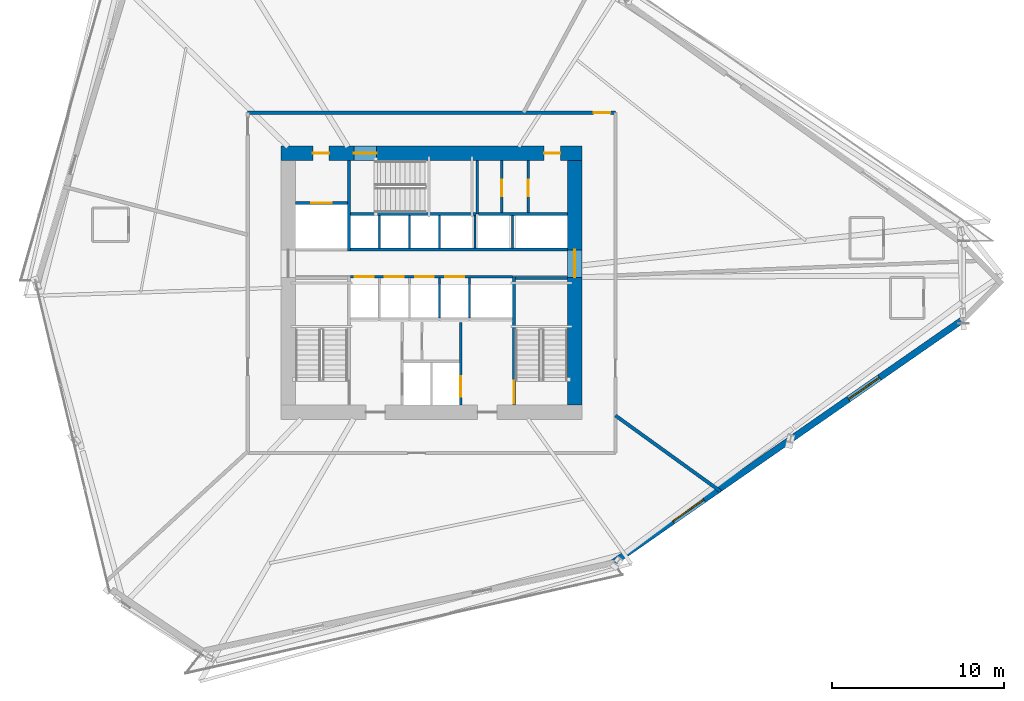
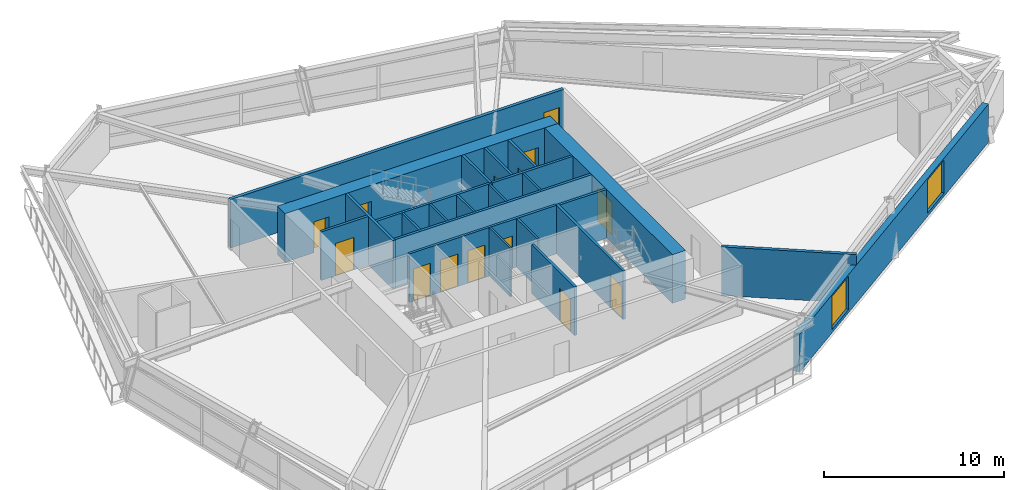
# One storey, part 17 of 21: 24 walls, 14 doors, 2 windows, 16 openings.
"""IFC4 building model written with IfcOpenShell, lengths in metres."""

from ifc_helpers import new_model, si_unit, direction, frame, frame_2d, origin, place, context, subcontext, project, spatial, rectangle, extrude, source, transform, mapped, material, layer, layer_set, type_object, type_shapes, element, fill, save


model = new_model("IFC4")

# Units and contexts
model_context = context("Model", 3, precision=1e-05, world=origin(), true_north=direction((0.0, 1.0)))
body_context = subcontext(model_context, "Body", "Model", "MODEL_VIEW")
ifc_project = project(units=[si_unit("LENGTHUNIT", "METRE"), si_unit("AREAUNIT", "SQUARE_METRE"), si_unit("VOLUMEUNIT", "CUBIC_METRE"), si_unit("PLANEANGLEUNIT", "RADIAN"), si_unit("MASSUNIT", "GRAM", prefix="KILO")], contexts=[model_context])

# Site, building, storey
site_placement = place(None, origin())
site = spatial("IfcSite", under=ifc_project, at=site_placement, CompositionType="ELEMENT")
building_placement = place(site_placement, origin())
building = spatial("IfcBuilding", under=site, at=building_placement, Name="Olszyna Solenne Hotel", CompositionType="ELEMENT")
storey_placement = place(building_placement, frame((0.0, 0.0, 39.949951171875)))
storey = spatial("IfcBuildingStorey", under=building, at=storey_placement, Name="L09", CompositionType="ELEMENT", Elevation=39.949951171875)

# Wall, openings, doors
ifc_material_1 = material(Name="Concrete C60/75", Category="concrete")
ifc_layer_1 = layer(ifc_material_1, 0.85009765625, Name="Concrete C60/75")
ifc_layer_set_1 = layer_set([ifc_layer_1], Name="Concrete C60/75")
wall_type_1 = type_object("IfcWallType", Name="WL-CR850", PredefinedType="SHEAR", material=ifc_layer_set_1)
wall_1_placement = place(storey_placement, frame((29.25, 34.125, 0.0), z_axis=(0.0, 0.0, 1.0), x_axis=(1.0, 0.0, 0.0)))
wall_1 = element("IfcWall", 1, at=wall_1_placement, inside=storey, type_object=wall_type_1, Name="Core shear wall WL-CR850 CRW-L09-N", PredefinedType="SHEAR", context=body_context, shape_type="SweptSolid", body=[
    extrude(rectangle(XDim=17.5, YDim=0.85009765625, at=frame_2d((8.75, 0.0))), origin(), (0.0, 0.0, 1.0), 3.300048828125),
])
opening_1_placement = place(wall_1_placement, frame((1.85009765625, 0.0, 0.0)))
opening_1 = element("IfcOpeningElement", 2, at=opening_1_placement, cuts=wall_1, Name="Opening SVD-L09-01", PredefinedType="OPENING", context=body_context, shape_type="SweptSolid", body=[
    extrude(rectangle(XDim=0.949951171875, YDim=2.10009765625, at=frame_2d((0.47509765625, 1.050048828125))), frame((0.0, 0.43505859375, 0.0), z_axis=(0.0, -1.0, 0.0), x_axis=(1.0, 0.0, 0.0)), (0.0, 0.0, 1.0), 0.8701171875),
])
opening_2_placement = place(wall_1_placement, frame((4.22998046875, 0.0, 0.0)))
opening_2 = element("IfcOpeningElement", 3, at=opening_2_placement, cuts=wall_1, Name="Opening STD-L09-03", PredefinedType="OPENING", context=body_context, shape_type="SweptSolid", body=[
    extrude(rectangle(XDim=1.320068359375, YDim=2.199951171875, at=frame_2d((0.66015625, 1.10009765625))), frame((0.0, 0.43505859375, 0.0), z_axis=(0.0, -1.0, 0.0), x_axis=(1.0, 0.0, 0.0)), (0.0, 0.0, 1.0), 0.8701171875),
])
opening_3_placement = place(wall_1_placement, frame((15.300048828125, 0.0, 0.0)))
opening_3 = element("IfcOpeningElement", 4, at=opening_3_placement, cuts=wall_1, Name="Opening SVD-L09-BN", PredefinedType="OPENING", context=body_context, shape_type="SweptSolid", body=[
    extrude(rectangle(XDim=0.949951171875, YDim=2.10009765625, at=frame_2d((0.47509765625, 1.050048828125))), frame((0.0, 0.43505859375, 0.0), z_axis=(0.0, -1.0, 0.0), x_axis=(1.0, 0.0, 0.0)), (0.0, 0.0, 1.0), 0.8701171875),
])
ifc_material_2 = material(Name="Steel S355J2", Category="steel")
door_type_1 = type_object("IfcDoorType", Name="DR-ST1", OperationType="NOTDEFINED", PredefinedType="DOOR", material=ifc_material_2)
shared_shape_1 = source(origin(), body_context, "Body", "SweptSolid", [
    extrude(rectangle(XDim=1.320068359375, YDim=2.199951171875, at=frame_2d((0.66015625, 1.10009765625))), frame((0.0, 0.02490234375, 0.0), z_axis=(0.0, -1.0, 0.0), x_axis=(1.0, 0.0, 0.0)), (0.0, 0.0, 1.0), 0.050048828125),
])
type_shapes(door_type_1, [shared_shape_1])
door_1_placement = place(opening_2_placement, origin())
door_1 = element("IfcDoor", 5, at=door_1_placement, inside=storey, type_object=door_type_1, Name="Pressurised exit stair ST3 fire door STD-L09-03", OperationType="SINGLE_SWING_RIGHT", OverallHeight=2.199951171875, OverallWidth=1.320068359375, PredefinedType="DOOR", context=body_context, shape_type="MappedRepresentation", body=[
    mapped(shared_shape_1, transform((0.0, 0.0, 0.0), x_axis=(1.0, 0.0, 0.0), y_axis=(0.0, 1.0, 0.0), z_axis=(0.0, 0.0, 1.0), scale=1.0)),
])
fill(opening_2, door_1)
door_type_2 = type_object("IfcDoorType", Name="DR-SV1", OperationType="NOTDEFINED", PredefinedType="DOOR", material=ifc_material_2)
shared_shape_2 = source(origin(), body_context, "Body", "SweptSolid", [
    extrude(rectangle(XDim=0.949951171875, YDim=2.10009765625, at=frame_2d((0.47509765625, 1.050048828125))), frame((0.0, 0.02490234375, 0.0), z_axis=(0.0, -1.0, 0.0), x_axis=(1.0, 0.0, 0.0)), (0.0, 0.0, 1.0), 0.050048828125),
])
type_shapes(door_type_2, [shared_shape_2])
door_2_placement = place(opening_1_placement, origin())
door_2 = element("IfcDoor", 6, at=door_2_placement, inside=storey, type_object=door_type_2, Name="Service lift lobby fire door SVD-L09-01", OperationType="SINGLE_SWING_LEFT", OverallHeight=2.10009765625, OverallWidth=0.949951171875, PredefinedType="DOOR", context=body_context, shape_type="MappedRepresentation", body=[
    mapped(shared_shape_2, transform((0.0, 0.0, 0.0), x_axis=(1.0, 0.0, 0.0), y_axis=(0.0, 1.0, 0.0), z_axis=(0.0, 0.0, 1.0), scale=1.0)),
])
fill(opening_1, door_2)
door_3_placement = place(opening_3_placement, origin())
door_3 = element("IfcDoor", 7, at=door_3_placement, inside=storey, type_object=door_type_2, Name="Housekeeping core fire door SVD-L09-BN", OperationType="SINGLE_SWING_LEFT", OverallHeight=2.10009765625, OverallWidth=0.949951171875, PredefinedType="DOOR", context=body_context, shape_type="MappedRepresentation", body=[
    mapped(shared_shape_2, transform((0.0, 0.0, 0.0), x_axis=(1.0, 0.0, 0.0), y_axis=(0.0, 1.0, 0.0), z_axis=(0.0, 0.0, 1.0), scale=1.0)),
])
fill(opening_3, door_3)

# Wall, opening, door
wall_2_placement = place(storey_placement, frame((46.324951171875, 33.699951171875, 0.0), z_axis=(0.0, 0.0, 1.0), x_axis=(0.0, -1.0, 0.0)))
wall_2 = element("IfcWall", 8, at=wall_2_placement, inside=storey, type_object=wall_type_1, Name="Core shear wall WL-CR850 CRW-L09-E", PredefinedType="SHEAR", context=body_context, shape_type="SweptSolid", body=[
    extrude(rectangle(XDim=14.199951171875, YDim=0.85009765625, at=frame_2d((7.10009765625, 0.0))), origin(), (0.0, 0.0, 1.0), 3.300048828125),
])
opening_4_placement = place(wall_2_placement, frame((5.179931640625, 0.0, 0.0)))
opening_4 = element("IfcOpeningElement", 9, at=opening_4_placement, cuts=wall_2, Name="Opening LHD-L09-E", PredefinedType="OPENING", context=body_context, shape_type="SweptSolid", body=[
    extrude(rectangle(XDim=1.60009765625, YDim=2.199951171875, at=frame_2d((0.800048828125, 1.10009765625))), frame((0.0, 0.43505859375, 0.0), z_axis=(0.0, -1.0, 0.0), x_axis=(1.0, 0.0, 0.0)), (0.0, 0.0, 1.0), 0.8701171875),
])
ifc_material_3 = material(Name="Timber hardwood", Category="wood")
door_type_3 = type_object("IfcDoorType", Name="DR-CR1", OperationType="DOUBLE_DOOR_SINGLE_SWING", PredefinedType="DOOR", material=ifc_material_3)
shared_shape_3 = source(origin(), body_context, "Body", "SweptSolid", [
    extrude(rectangle(XDim=1.60009765625, YDim=2.199951171875, at=frame_2d((0.800048828125, 1.10009765625))), frame((0.0, 0.02490234375, 0.0), z_axis=(0.0, -1.0, 0.0), x_axis=(1.0, 0.0, 0.0)), (0.0, 0.0, 1.0), 0.050048828125),
])
type_shapes(door_type_3, [shared_shape_3])
door_4_placement = place(opening_4_placement, origin())
door_4 = element("IfcDoor", 10, at=door_4_placement, inside=storey, type_object=door_type_3, Name="Passenger lift lobby East fire door LHD-L09-E", OperationType="DOUBLE_DOOR_SINGLE_SWING", OverallHeight=2.199951171875, OverallWidth=1.60009765625, PredefinedType="DOOR", context=body_context, shape_type="MappedRepresentation", body=[
    mapped(shared_shape_3, transform((0.0, 0.0, 0.0), x_axis=(1.0, 0.0, 0.0), y_axis=(0.0, 1.0, 0.0), z_axis=(0.0, 0.0, 1.0), scale=1.0)),
])
fill(opening_4, door_4)

# Wall, openings, windows
ifc_material_4 = material(Name="Terracotta cladding on precast concrete C45/55", Category="masonry")
ifc_layer_2 = layer(ifc_material_4, 0.3798828125, Name="Terracotta cladding on precast concrete C45/55")
ifc_layer_set_2 = layer_set([ifc_layer_2], Name="Terracotta cladding on precast concrete C45/55")
wall_type_2 = type_object("IfcWallType", Name="WL-EX380", PredefinedType="SOLIDWALL", material=ifc_layer_set_2)
wall_3_placement = place(storey_placement, frame((68.825927734375, 24.40087890625, 0.0), z_axis=(0.0, 0.0, 1.0), x_axis=(-0.821232588092, -0.570593582383, 0.0)))
wall_3 = element("IfcWall", 11, at=wall_3_placement, inside=storey, type_object=wall_type_2, Name="Exterior terracotta-precast frame wall WL-EX380 EW-L09-10", PredefinedType="SOLIDWALL", context=body_context, shape_type="SweptSolid", body=[
    extrude(rectangle(XDim=24.65869140625, YDim=0.3798828125, at=frame_2d((12.329345703125, 0.0))), origin(), (0.0, 0.0, 1.0), 2.592041015625),
])
opening_5_placement = place(wall_3_placement, frame((5.803955078125, 0.0, 0.221923828125)))
opening_5 = element("IfcOpeningElement", 12, at=opening_5_placement, cuts=wall_3, Name="Opening WN-L09-039", PredefinedType="OPENING", context=body_context, shape_type="SweptSolid", body=[
    extrude(rectangle(XDim=2.199951171875, YDim=2.25, at=frame_2d((1.10009765625, 1.125))), frame((0.0, 0.199951171875, 0.0), z_axis=(0.0, -1.0, 0.0), x_axis=(1.0, 0.0, 0.0)), (0.0, 0.0, 1.0), 0.39990234375),
])
opening_6_placement = place(wall_3_placement, frame((18.25390625, 0.0, 0.221923828125)))
opening_6 = element("IfcOpeningElement", 13, at=opening_6_placement, cuts=wall_3, Name="Opening WN-L09-040", PredefinedType="OPENING", context=body_context, shape_type="SweptSolid", body=[
    extrude(rectangle(XDim=2.199951171875, YDim=2.25, at=frame_2d((1.10009765625, 1.125))), frame((0.0, 0.199951171875, 0.0), z_axis=(0.0, -1.0, 0.0), x_axis=(1.0, 0.0, 0.0)), (0.0, 0.0, 1.0), 0.39990234375),
])
ifc_material_5 = material(Name="Low-E triple glazing", Category="glass")
window_type = type_object("IfcWindowType", Name="WN-HT2", PartitioningType="SINGLE_PANEL", PredefinedType="WINDOW", material=ifc_material_5)
shared_shape_4 = source(origin(), body_context, "Body", "SweptSolid", [
    extrude(rectangle(XDim=2.199951171875, YDim=2.25, at=frame_2d((1.10009765625, 1.125))), frame((0.0, 0.030029296875, 0.0), z_axis=(0.0, -1.0, 0.0), x_axis=(1.0, 0.0, 0.0)), (0.0, 0.0, 1.0), 0.06005859375),
])
type_shapes(window_type, [shared_shape_4])
window_1_placement = place(opening_5_placement, origin())
window_1 = element("IfcWindow", 14, at=window_1_placement, inside=storey, type_object=window_type, Name="Exterior facade window WN-HT2 WN-L09-039", OverallHeight=2.25, OverallWidth=2.199951171875, PartitioningType="SINGLE_PANEL", PredefinedType="WINDOW", context=body_context, shape_type="MappedRepresentation", body=[
    mapped(shared_shape_4, transform((0.0, 0.0, 0.0), x_axis=(1.0, 0.0, 0.0), y_axis=(0.0, 1.0, 0.0), z_axis=(0.0, 0.0, 1.0), scale=1.0)),
])
fill(opening_5, window_1)
window_2_placement = place(opening_6_placement, origin())
window_2 = element("IfcWindow", 15, at=window_2_placement, inside=storey, type_object=window_type, Name="Exterior facade window WN-HT2 WN-L09-040", OverallHeight=2.25, OverallWidth=2.199951171875, PartitioningType="SINGLE_PANEL", PredefinedType="WINDOW", context=body_context, shape_type="MappedRepresentation", body=[
    mapped(shared_shape_4, transform((0.0, 0.0, 0.0), x_axis=(1.0, 0.0, 0.0), y_axis=(0.0, 1.0, 0.0), z_axis=(0.0, 0.0, 1.0), scale=1.0)),
])
fill(opening_6, window_2)

# Walls
ifc_material_6 = material(Name="Acoustic gypsum partition", Category="gypsum")
ifc_layer_3 = layer(ifc_material_6, 0.125, Name="Acoustic gypsum partition")
ifc_layer_set_3 = layer_set([ifc_layer_3], Name="Acoustic gypsum partition")
wall_type_3 = type_object("IfcWallType", Name="WL-PT125", PredefinedType="PARTITIONING", material=ifc_layer_set_3)
for number, where, z_axis, x_axis, name in (
    (16, (38.465087890625, 24.56005859375, 0.0), (0.0, 0.0, 1.0), (0.0, 1.0, 0.0), "Core shaft compartment wall CW-L09-DIVS384"),
    (17, (40.215087890625, 24.56005859375, 0.0), (0.0, 0.0, 1.0), (0.0, 1.0, 0.0), "Core shaft compartment wall CW-L09-DIVS402"),
):
    element("IfcWall", number, at=place(storey_placement, frame(where, z_axis=z_axis, x_axis=x_axis)), inside=storey, type_object=wall_type_3, Name=name, PredefinedType="PARTITIONING", context=body_context, shape_type="SweptSolid", body=[
        extrude(rectangle(XDim=2.31005859375, YDim=0.125, at=frame_2d((1.155029296875, 0.0))), origin(), (0.0, 0.0, 1.0), 3.300048828125),
    ])
for number, where, z_axis, x_axis, name in (
    (18, (34.965087890625, 28.60009765625, 0.0), (0.0, 0.0, 1.0), (0.0, 1.0, 0.0), "Core shaft compartment wall CW-L09-DIVN349"),
    (19, (36.715087890625, 28.60009765625, 0.0), (0.0, 0.0, 1.0), (0.0, 1.0, 0.0), "Core shaft compartment wall CW-L09-DIVN367"),
    (20, (38.465087890625, 28.60009765625, 0.0), (0.0, 0.0, 1.0), (0.0, 1.0, 0.0), "Core shaft compartment wall CW-L09-DIVN384"),
    (21, (40.52490234375, 28.60009765625, 0.0), (0.0, 0.0, 1.0), (0.0, 1.0, 0.0), "Core shaft compartment wall CW-L09-DIVEX405"),
    (22, (42.699951171875, 28.60009765625, 0.0), (0.0, 0.0, 1.0), (0.0, 1.0, 0.0), "Core shaft compartment wall CW-L09-DIVEX427"),
):
    element("IfcWall", number, at=place(storey_placement, frame(where, z_axis=z_axis, x_axis=x_axis)), inside=storey, type_object=wall_type_3, Name=name, PredefinedType="PARTITIONING", context=body_context, shape_type="SweptSolid", body=[
        extrude(rectangle(XDim=1.919921875, YDim=0.125, at=frame_2d((0.9599609375, 0.0))), origin(), (0.0, 0.0, 1.0), 3.300048828125),
    ])

# Wall, opening, door
ifc_layer_4 = layer(ifc_material_6, 0.159912109375, Name="Acoustic gypsum partition")
ifc_layer_set_4 = layer_set([ifc_layer_4], Name="Acoustic gypsum partition")
wall_type_4 = type_object("IfcWallType", Name="WL-PT160", PredefinedType="PARTITIONING", material=ifc_layer_set_4)
wall_4_placement = place(storey_placement, frame((42.800048828125, 26.9599609375, 0.0), z_axis=(0.0, 0.0, 1.0), x_axis=(0.0, -1.0, 0.0)))
wall_4 = element("IfcWall", 23, at=wall_4_placement, inside=storey, type_object=wall_type_4, Name="Core shaft compartment wall CW-L09-ST2W", PredefinedType="PARTITIONING", context=body_context, shape_type="SweptSolid", body=[
    extrude(rectangle(XDim=7.4599609375, YDim=0.159912109375, at=frame_2d((3.72998046875, 0.0))), origin(), (0.0, 0.0, 1.0), 3.300048828125),
])
opening_7_placement = place(wall_4_placement, frame((6.06005859375, 0.0, 0.0)))
opening_7 = element("IfcOpeningElement", 24, at=opening_7_placement, cuts=wall_4, Name="Opening STD-L09-02", PredefinedType="OPENING", context=body_context, shape_type="SweptSolid", body=[
    extrude(rectangle(XDim=1.320068359375, YDim=2.199951171875, at=frame_2d((0.66015625, 1.10009765625))), frame((0.0, 0.08984375, 0.0), z_axis=(0.0, -1.0, 0.0), x_axis=(1.0, 0.0, 0.0)), (0.0, 0.0, 1.0), 0.179931640625),
])
door_5_placement = place(opening_7_placement, origin())
door_5 = element("IfcDoor", 25, at=door_5_placement, inside=storey, type_object=door_type_1, Name="Pressurised exit stair ST2 fire door STD-L09-02", OperationType="SINGLE_SWING_RIGHT", OverallHeight=2.199951171875, OverallWidth=1.320068359375, PredefinedType="DOOR", context=body_context, shape_type="MappedRepresentation", body=[
    mapped(shared_shape_1, transform((0.0, 0.0, 0.0), x_axis=(1.0, 0.0, 0.0), y_axis=(0.0, 1.0, 0.0), z_axis=(0.0, 0.0, 1.0), scale=1.0)),
])
fill(opening_7, door_5)

# Walls
wall_5_placement = place(storey_placement, frame((42.8798828125, 26.8798828125, 0.0), z_axis=(0.0, 0.0, 1.0), x_axis=(1.0, 0.0, 0.0)))
element("IfcWall", 26, at=wall_5_placement, inside=storey, type_object=wall_type_4, Name="Core shaft compartment wall CW-L09-ST2N", PredefinedType="PARTITIONING", context=body_context, shape_type="SweptSolid", body=[
    extrude(rectangle(XDim=3.02001953125, YDim=0.159912109375, at=frame_2d((1.510009765625, 0.0))), origin(), (0.0, 0.0, 1.0), 3.300048828125),
])
wall_6_placement = place(storey_placement, frame((33.280029296875, 30.60009765625, 0.0), z_axis=(0.0, 0.0, 1.0), x_axis=(1.0, 0.0, 0.0)))
element("IfcWall", 27, at=wall_6_placement, inside=storey, type_object=wall_type_4, Name="Core shaft compartment wall CW-L09-ST3S", PredefinedType="PARTITIONING", context=body_context, shape_type="SweptSolid", body=[
    extrude(rectangle(XDim=7.300048828125, YDim=0.159912109375, at=frame_2d((3.64990234375, 0.0))), origin(), (0.0, 0.0, 1.0), 3.300048828125),
])
wall_7_placement = place(storey_placement, frame((40.659912109375, 30.60009765625, 0.0), z_axis=(0.0, 0.0, 1.0), x_axis=(0.0, 1.0, 0.0)))
element("IfcWall", 28, at=wall_7_placement, inside=storey, type_object=wall_type_4, Name="Core shaft compartment wall CW-L09-ST3E", PredefinedType="PARTITIONING", context=body_context, shape_type="SweptSolid", body=[
    extrude(rectangle(XDim=3.099853515625, YDim=0.159912109375, at=frame_2d((1.5498046875, 0.0))), origin(), (0.0, 0.0, 1.0), 3.300048828125),
])

# Wall, opening, door
wall_8_placement = place(storey_placement, frame((39.699951171875, 24.280029296875, 0.0), z_axis=(0.0, 0.0, 1.0), x_axis=(0.0, -1.0, 0.0)))
wall_8 = element("IfcWall", 29, at=wall_8_placement, inside=storey, type_object=wall_type_4, Name="Core shaft compartment wall CW-L09-FF2E", PredefinedType="PARTITIONING", context=body_context, shape_type="SweptSolid", body=[
    extrude(rectangle(XDim=4.780029296875, YDim=0.159912109375, at=frame_2d((2.39013671875, 0.0))), origin(), (0.0, 0.0, 1.0), 3.300048828125),
])
opening_8_placement = place(wall_8_placement, frame((3.1201171875, 0.0, 0.0)))
opening_8 = element("IfcOpeningElement", 30, at=opening_8_placement, cuts=wall_8, Name="Opening LD-L09-FF2", PredefinedType="OPENING", context=body_context, shape_type="SweptSolid", body=[
    extrude(rectangle(XDim=1.199951171875, YDim=2.199951171875, at=frame_2d((0.60009765625, 1.10009765625))), frame((0.0, 0.08984375, 0.0), z_axis=(0.0, -1.0, 0.0), x_axis=(1.0, 0.0, 0.0)), (0.0, 0.0, 1.0), 0.179931640625),
])
door_type_4 = type_object("IfcDoorType", Name="LD-FF1", OperationType="DOUBLE_DOOR_SLIDING", PredefinedType="DOOR", material=ifc_material_2)
shared_shape_5 = source(origin(), body_context, "Body", "SweptSolid", [
    extrude(rectangle(XDim=1.199951171875, YDim=2.199951171875, at=frame_2d((0.60009765625, 1.10009765625))), frame((0.0, 0.02490234375, 0.0), z_axis=(0.0, -1.0, 0.0), x_axis=(1.0, 0.0, 0.0)), (0.0, 0.0, 1.0), 0.050048828125),
])
type_shapes(door_type_4, [shared_shape_5])
door_6_placement = place(opening_8_placement, origin())
door_6 = element("IfcDoor", 31, at=door_6_placement, inside=storey, type_object=door_type_4, Name="Firefighters lift FF2 sliding landing door LD-L09-FF2", OperationType="DOUBLE_DOOR_SLIDING", OverallHeight=2.199951171875, OverallWidth=1.199951171875, PredefinedType="DOOR", context=body_context, shape_type="MappedRepresentation", body=[
    mapped(shared_shape_5, transform((0.0, 0.0, 0.0), x_axis=(1.0, 0.0, 0.0), y_axis=(0.0, 1.0, 0.0), z_axis=(0.0, 0.0, 1.0), scale=1.0)),
])
fill(opening_8, door_6)

# Wall
wall_9_placement = place(storey_placement, frame((33.199951171875, 28.43994140625, 0.0), z_axis=(0.0, 0.0, 1.0), x_axis=(0.0, 1.0, 0.0)))
element("IfcWall", 32, at=wall_9_placement, inside=storey, type_object=wall_type_4, Name="Core shaft compartment wall CW-L09-SV1E", PredefinedType="PARTITIONING", context=body_context, shape_type="SweptSolid", body=[
    extrude(rectangle(XDim=5.260009765625, YDim=0.159912109375, at=frame_2d((2.6298828125, 0.0))), origin(), (0.0, 0.0, 1.0), 3.300048828125),
])

# Wall, opening, door
wall_10_placement = place(storey_placement, frame((30.10009765625, 31.239990234375, 0.0), z_axis=(0.0, 0.0, 1.0), x_axis=(1.0, 0.0, 0.0)))
wall_10 = element("IfcWall", 33, at=wall_10_placement, inside=storey, type_object=wall_type_4, Name="Core shaft compartment wall CW-L09-SV1N", PredefinedType="PARTITIONING", context=body_context, shape_type="SweptSolid", body=[
    extrude(rectangle(XDim=3.02001953125, YDim=0.159912109375, at=frame_2d((1.510009765625, 0.0))), origin(), (0.0, 0.0, 1.0), 3.300048828125),
])
opening_9_placement = place(wall_10_placement, frame((0.909912109375, 0.0, 0.0)))
opening_9 = element("IfcOpeningElement", 34, at=opening_9_placement, cuts=wall_10, Name="Opening LD-L09-SV1", PredefinedType="OPENING", context=body_context, shape_type="SweptSolid", body=[
    extrude(rectangle(XDim=1.199951171875, YDim=2.199951171875, at=frame_2d((0.60009765625, 1.10009765625))), frame((0.0, 0.08984375, 0.0), z_axis=(0.0, -1.0, 0.0), x_axis=(1.0, 0.0, 0.0)), (0.0, 0.0, 1.0), 0.179931640625),
])
door_7_placement = place(opening_9_placement, origin())
door_7 = element("IfcDoor", 35, at=door_7_placement, inside=storey, type_object=door_type_4, Name="Service lift SV1 sliding landing door LD-L09-SV1", OperationType="DOUBLE_DOOR_SLIDING", OverallHeight=2.199951171875, OverallWidth=1.199951171875, PredefinedType="DOOR", context=body_context, shape_type="MappedRepresentation", body=[
    mapped(shared_shape_5, transform((0.0, 0.0, 0.0), x_axis=(1.0, 0.0, 0.0), y_axis=(0.0, 1.0, 0.0), z_axis=(0.0, 0.0, 1.0), scale=1.0)),
])
fill(opening_9, door_7)

# Wall, openings, doors
wall_11_placement = place(storey_placement, frame((33.280029296875, 26.949951171875, 0.0), z_axis=(0.0, 0.0, 1.0), x_axis=(1.0, 0.0, 0.0)))
wall_11 = element("IfcWall", 36, at=wall_11_placement, inside=storey, type_object=wall_type_4, Name="Core shaft compartment wall CW-L09-LRS", PredefinedType="PARTITIONING", context=body_context, shape_type="SweptSolid", body=[
    extrude(rectangle(XDim=9.43994140625, YDim=0.159912109375, at=frame_2d((4.719970703125, 0.0))), origin(), (0.0, 0.0, 1.0), 3.300048828125),
])
opening_10_placement = place(wall_11_placement, frame((0.260009765625, 0.0, 0.0)))
opening_10 = element("IfcOpeningElement", 37, at=opening_10_placement, cuts=wall_11, Name="Opening LD-L09-PL1", PredefinedType="OPENING", context=body_context, shape_type="SweptSolid", body=[
    extrude(rectangle(XDim=1.10009765625, YDim=2.199951171875, at=frame_2d((0.550048828125, 1.10009765625))), frame((0.0, 0.08984375, 0.0), z_axis=(0.0, -1.0, 0.0), x_axis=(1.0, 0.0, 0.0)), (0.0, 0.0, 1.0), 0.179931640625),
])
opening_11_placement = place(wall_11_placement, frame((2.010009765625, 0.0, 0.0)))
opening_11 = element("IfcOpeningElement", 38, at=opening_11_placement, cuts=wall_11, Name="Opening LD-L09-PL2", PredefinedType="OPENING", context=body_context, shape_type="SweptSolid", body=[
    extrude(rectangle(XDim=1.10009765625, YDim=2.199951171875, at=frame_2d((0.550048828125, 1.10009765625))), frame((0.0, 0.08984375, 0.0), z_axis=(0.0, -1.0, 0.0), x_axis=(1.0, 0.0, 0.0)), (0.0, 0.0, 1.0), 0.179931640625),
])
opening_12_placement = place(wall_11_placement, frame((3.760009765625, 0.0, 0.0)))
opening_12 = element("IfcOpeningElement", 39, at=opening_12_placement, cuts=wall_11, Name="Opening LD-L09-PL3", PredefinedType="OPENING", context=body_context, shape_type="SweptSolid", body=[
    extrude(rectangle(XDim=1.10009765625, YDim=2.199951171875, at=frame_2d((0.550048828125, 1.10009765625))), frame((0.0, 0.08984375, 0.0), z_axis=(0.0, -1.0, 0.0), x_axis=(1.0, 0.0, 0.0)), (0.0, 0.0, 1.0), 0.179931640625),
])
opening_13_placement = place(wall_11_placement, frame((5.510009765625, 0.0, 0.0)))
opening_13 = element("IfcOpeningElement", 40, at=opening_13_placement, cuts=wall_11, Name="Opening LD-L09-PL4", PredefinedType="OPENING", context=body_context, shape_type="SweptSolid", body=[
    extrude(rectangle(XDim=1.10009765625, YDim=2.199951171875, at=frame_2d((0.550048828125, 1.10009765625))), frame((0.0, 0.08984375, 0.0), z_axis=(0.0, -1.0, 0.0), x_axis=(1.0, 0.0, 0.0)), (0.0, 0.0, 1.0), 0.179931640625),
])
door_type_5 = type_object("IfcDoorType", Name="LD-P1", OperationType="DOUBLE_DOOR_SLIDING", PredefinedType="DOOR", material=ifc_material_2)
shared_shape_6 = source(origin(), body_context, "Body", "SweptSolid", [
    extrude(rectangle(XDim=1.10009765625, YDim=2.199951171875, at=frame_2d((0.550048828125, 1.10009765625))), frame((0.0, 0.02490234375, 0.0), z_axis=(0.0, -1.0, 0.0), x_axis=(1.0, 0.0, 0.0)), (0.0, 0.0, 1.0), 0.050048828125),
])
type_shapes(door_type_5, [shared_shape_6])
door_8_placement = place(opening_10_placement, origin())
door_8 = element("IfcDoor", 41, at=door_8_placement, inside=storey, type_object=door_type_5, Name="Passenger lift PL1 sliding landing door LD-L09-PL1", OperationType="DOUBLE_DOOR_SLIDING", OverallHeight=2.199951171875, OverallWidth=1.10009765625, PredefinedType="DOOR", context=body_context, shape_type="MappedRepresentation", body=[
    mapped(shared_shape_6, transform((0.0, 0.0, 0.0), x_axis=(1.0, 0.0, 0.0), y_axis=(0.0, 1.0, 0.0), z_axis=(0.0, 0.0, 1.0), scale=1.0)),
])
fill(opening_10, door_8)
door_9_placement = place(opening_11_placement, origin())
door_9 = element("IfcDoor", 42, at=door_9_placement, inside=storey, type_object=door_type_5, Name="Passenger lift PL2 sliding landing door LD-L09-PL2", OperationType="DOUBLE_DOOR_SLIDING", OverallHeight=2.199951171875, OverallWidth=1.10009765625, PredefinedType="DOOR", context=body_context, shape_type="MappedRepresentation", body=[
    mapped(shared_shape_6, transform((0.0, 0.0, 0.0), x_axis=(1.0, 0.0, 0.0), y_axis=(0.0, 1.0, 0.0), z_axis=(0.0, 0.0, 1.0), scale=1.0)),
])
fill(opening_11, door_9)
door_10_placement = place(opening_12_placement, origin())
door_10 = element("IfcDoor", 43, at=door_10_placement, inside=storey, type_object=door_type_5, Name="Passenger lift PL3 sliding landing door LD-L09-PL3", OperationType="DOUBLE_DOOR_SLIDING", OverallHeight=2.199951171875, OverallWidth=1.10009765625, PredefinedType="DOOR", context=body_context, shape_type="MappedRepresentation", body=[
    mapped(shared_shape_6, transform((0.0, 0.0, 0.0), x_axis=(1.0, 0.0, 0.0), y_axis=(0.0, 1.0, 0.0), z_axis=(0.0, 0.0, 1.0), scale=1.0)),
])
fill(opening_12, door_10)
door_11_placement = place(opening_13_placement, origin())
door_11 = element("IfcDoor", 44, at=door_11_placement, inside=storey, type_object=door_type_5, Name="Passenger lift PL4 sliding landing door LD-L09-PL4", OperationType="DOUBLE_DOOR_SLIDING", OverallHeight=2.199951171875, OverallWidth=1.10009765625, PredefinedType="DOOR", context=body_context, shape_type="MappedRepresentation", body=[
    mapped(shared_shape_6, transform((0.0, 0.0, 0.0), x_axis=(1.0, 0.0, 0.0), y_axis=(0.0, 1.0, 0.0), z_axis=(0.0, 0.0, 1.0), scale=1.0)),
])
fill(opening_13, door_11)

# Walls
wall_12_placement = place(storey_placement, frame((33.280029296875, 28.5400390625, 0.0), z_axis=(0.0, 0.0, 1.0), x_axis=(1.0, 0.0, 0.0)))
element("IfcWall", 45, at=wall_12_placement, inside=storey, type_object=wall_type_4, Name="Core shaft compartment wall CW-L09-LRN", PredefinedType="PARTITIONING", context=body_context, shape_type="SweptSolid", body=[
    extrude(rectangle(XDim=12.619873046875, YDim=0.159912109375, at=frame_2d((6.31005859375, 0.0))), origin(), (0.0, 0.0, 1.0), 3.300048828125),
])
wall_13_placement = place(storey_placement, frame((40.719970703125, 30.60009765625, 0.0), z_axis=(0.0, 0.0, 1.0), x_axis=(1.0, 0.0, 0.0)))
element("IfcWall", 46, at=wall_13_placement, inside=storey, type_object=wall_type_4, Name="Core shaft compartment wall CW-L09-LRNTOP", PredefinedType="PARTITIONING", context=body_context, shape_type="SweptSolid", body=[
    extrude(rectangle(XDim=5.179931640625, YDim=0.159912109375, at=frame_2d((2.58984375, 0.0))), origin(), (0.0, 0.0, 1.0), 3.300048828125),
])

# Wall, opening, door
wall_14_placement = place(storey_placement, frame((42.0849609375, 30.679931640625, 0.0), z_axis=(0.0, 0.0, 1.0), x_axis=(0.0, 1.0, 0.0)))
wall_14 = element("IfcWall", 47, at=wall_14_placement, inside=storey, type_object=wall_type_4, Name="Core shaft compartment wall CW-L09-BOH3A", PredefinedType="PARTITIONING", context=body_context, shape_type="SweptSolid", body=[
    extrude(rectangle(XDim=3.02001953125, YDim=0.159912109375, at=frame_2d((1.510009765625, 0.0))), origin(), (0.0, 0.0, 1.0), 3.300048828125),
])
opening_14_placement = place(wall_14_placement, frame((0.949951171875, 0.0, 0.0)))
opening_14 = element("IfcOpeningElement", 48, at=opening_14_placement, cuts=wall_14, Name="Opening SVD-L09-B31", PredefinedType="OPENING", context=body_context, shape_type="SweptSolid", body=[
    extrude(rectangle(XDim=0.949951171875, YDim=2.10009765625, at=frame_2d((0.47509765625, 1.050048828125))), frame((0.0, 0.08984375, 0.0), z_axis=(0.0, -1.0, 0.0), x_axis=(1.0, 0.0, 0.0)), (0.0, 0.0, 1.0), 0.179931640625),
])
door_12_placement = place(opening_14_placement, origin())
door_12 = element("IfcDoor", 49, at=door_12_placement, inside=storey, type_object=door_type_2, Name="BOH inter-room fire door SVD-L09-B31", OperationType="SINGLE_SWING_LEFT", OverallHeight=2.10009765625, OverallWidth=0.949951171875, PredefinedType="DOOR", context=body_context, shape_type="MappedRepresentation", body=[
    mapped(shared_shape_2, transform((0.0, 0.0, 0.0), x_axis=(1.0, 0.0, 0.0), y_axis=(0.0, 1.0, 0.0), z_axis=(0.0, 0.0, 1.0), scale=1.0)),
])
fill(opening_14, door_12)

wall_15_placement = place(storey_placement, frame((43.625, 30.679931640625, 0.0), z_axis=(0.0, 0.0, 1.0), x_axis=(0.0, 1.0, 0.0)))
wall_15 = element("IfcWall", 50, at=wall_15_placement, inside=storey, type_object=wall_type_4, Name="Core shaft compartment wall CW-L09-BOH3B", PredefinedType="PARTITIONING", context=body_context, shape_type="SweptSolid", body=[
    extrude(rectangle(XDim=3.02001953125, YDim=0.159912109375, at=frame_2d((1.510009765625, 0.0))), origin(), (0.0, 0.0, 1.0), 3.300048828125),
])
opening_15_placement = place(wall_15_placement, frame((0.949951171875, 0.0, 0.0)))
opening_15 = element("IfcOpeningElement", 51, at=opening_15_placement, cuts=wall_15, Name="Opening SVD-L09-B32", PredefinedType="OPENING", context=body_context, shape_type="SweptSolid", body=[
    extrude(rectangle(XDim=0.949951171875, YDim=2.10009765625, at=frame_2d((0.47509765625, 1.050048828125))), frame((0.0, 0.08984375, 0.0), z_axis=(0.0, -1.0, 0.0), x_axis=(1.0, 0.0, 0.0)), (0.0, 0.0, 1.0), 0.179931640625),
])
door_13_placement = place(opening_15_placement, origin())
door_13 = element("IfcDoor", 52, at=door_13_placement, inside=storey, type_object=door_type_2, Name="BOH inter-room fire door SVD-L09-B32", OperationType="SINGLE_SWING_LEFT", OverallHeight=2.10009765625, OverallWidth=0.949951171875, PredefinedType="DOOR", context=body_context, shape_type="MappedRepresentation", body=[
    mapped(shared_shape_2, transform((0.0, 0.0, 0.0), x_axis=(1.0, 0.0, 0.0), y_axis=(0.0, 1.0, 0.0), z_axis=(0.0, 0.0, 1.0), scale=1.0)),
])
fill(opening_15, door_13)

# Wall
ifc_layer_5 = layer(ifc_material_6, 0.199951171875, Name="Acoustic gypsum partition")
ifc_layer_set_5 = layer_set([ifc_layer_5], Name="Acoustic gypsum partition")
wall_type_5 = type_object("IfcWallType", Name="WL-PT200", PredefinedType="PARTITIONING", material=ifc_layer_set_5)
wall_16_placement = place(storey_placement, frame((48.699951171875, 18.8779296875, 0.0), z_axis=(0.0, 0.0, 1.0), x_axis=(0.810875678149, -0.585218450312, 0.0)))
element("IfcWall", 53, at=wall_16_placement, inside=storey, type_object=wall_type_5, Name="Interior acoustic partition WL-PT200 PW-L09-0504", PredefinedType="PARTITIONING", context=body_context, shape_type="SweptSolid", body=[
    extrude(rectangle(XDim=7.535400390625, YDim=0.199951171875, at=frame_2d((3.767578125, 0.0))), origin(), (0.0, 0.0, 1.0), 3.300048828125),
])

# Wall, opening, door
wall_17_placement = place(storey_placement, frame((27.300048828125, 36.5, 0.0), z_axis=(0.0, 0.0, 1.0), x_axis=(1.0, 0.0, 0.0)))
wall_17 = element("IfcWall", 54, at=wall_17_placement, inside=storey, type_object=wall_type_5, Name="Interior acoustic partition WL-PT200 PW-L09-0519", PredefinedType="PARTITIONING", context=body_context, shape_type="SweptSolid", body=[
    extrude(rectangle(XDim=21.39990234375, YDim=0.199951171875, at=frame_2d((10.699951171875, 0.0))), origin(), (0.0, 0.0, 1.0), 3.300048828125),
])
opening_16_placement = place(wall_17_placement, frame((20.1201171875, 0.0, 0.0)))
opening_16 = element("IfcOpeningElement", 55, at=opening_16_placement, cuts=wall_17, Name="Opening DR-L09-0114", PredefinedType="OPENING", context=body_context, shape_type="SweptSolid", body=[
    extrude(rectangle(XDim=0.97998046875, YDim=2.14990234375, at=frame_2d((0.489990234375, 1.074951171875))), frame((0.0, 0.10986328125, 0.0), z_axis=(0.0, -1.0, 0.0), x_axis=(1.0, 0.0, 0.0)), (0.0, 0.0, 1.0), 0.219970703125),
])
door_type_6 = type_object("IfcDoorType", Name="DR-RM1", OperationType="NOTDEFINED", PredefinedType="DOOR", material=ifc_material_3)
shared_shape_7 = source(origin(), body_context, "Body", "SweptSolid", [
    extrude(rectangle(XDim=0.97998046875, YDim=2.14990234375, at=frame_2d((0.489990234375, 1.074951171875))), frame((0.0, 0.02490234375, 0.0), z_axis=(0.0, -1.0, 0.0), x_axis=(1.0, 0.0, 0.0)), (0.0, 0.0, 1.0), 0.050048828125),
])
type_shapes(door_type_6, [shared_shape_7])
door_14_placement = place(opening_16_placement, origin())
door_14 = element("IfcDoor", 56, at=door_14_placement, inside=storey, type_object=door_type_6, Name="Corner Panorama Suite Entrance Door DR-L09-0114", OperationType="SINGLE_SWING_RIGHT", OverallHeight=2.14990234375, OverallWidth=0.97998046875, PredefinedType="DOOR", context=body_context, shape_type="MappedRepresentation", body=[
    mapped(shared_shape_7, transform((0.0, 0.0, 0.0), x_axis=(1.0, 0.0, 0.0), y_axis=(0.0, 1.0, 0.0), z_axis=(0.0, 0.0, 1.0), scale=1.0)),
])
fill(opening_16, door_14)

save(model, "model.ifc")
